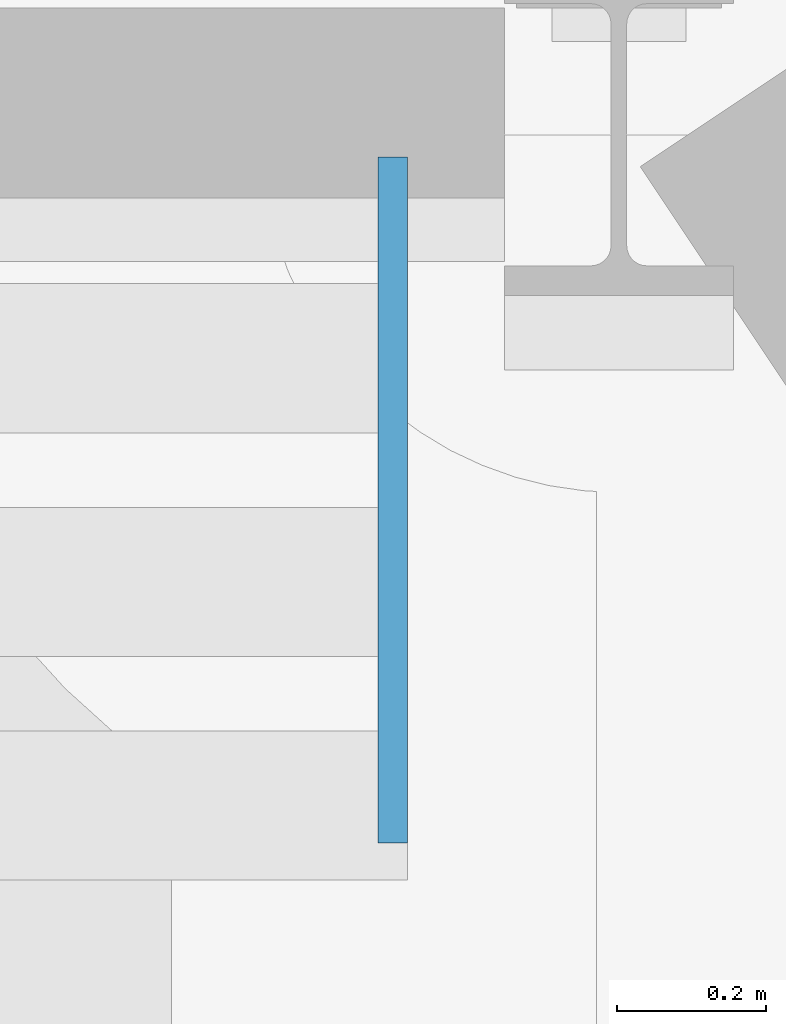
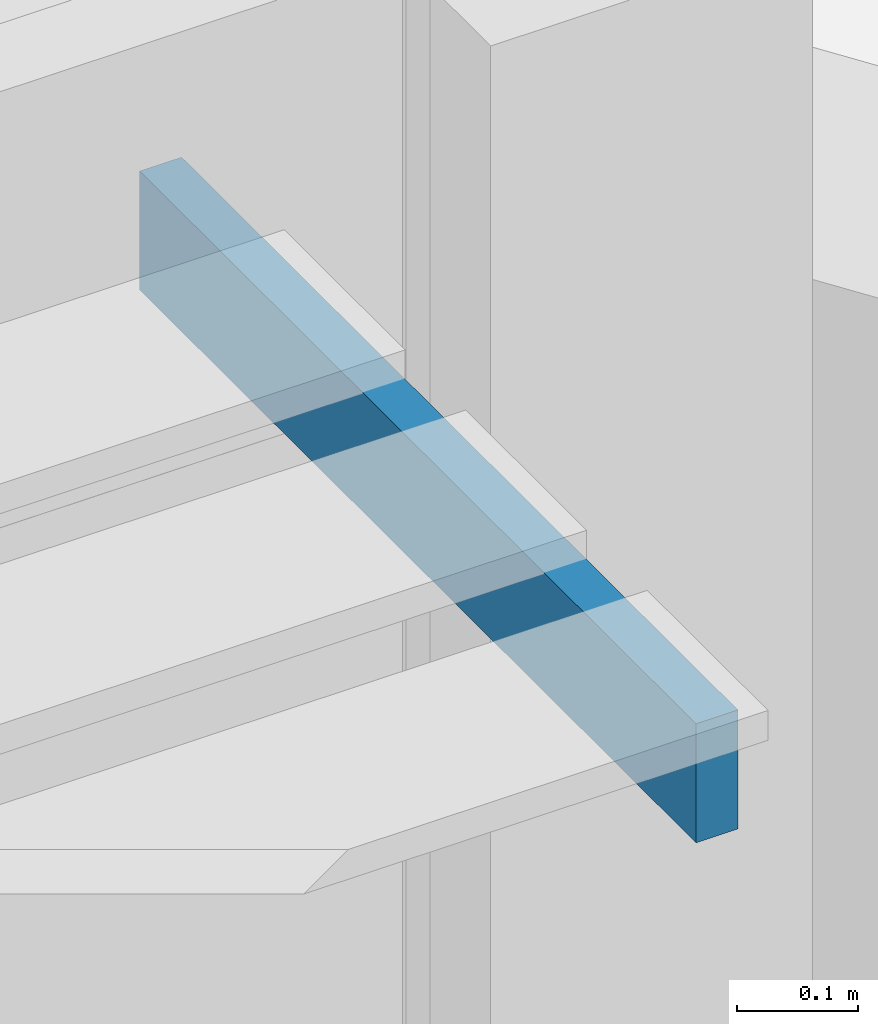
# One storey, part 56 of 110: 1 discrete accessory.
"""IFC4 building model written with IfcOpenShell, lengths in metres."""

from ifc_helpers import new_model, si_unit, direction, frame, origin, origin_2d, place, context, subcontext, project, spatial, rectangle, extrude, material, layer, layer_set, type_object, element, save


model = new_model("IFC4")

# Units and contexts
model_context = context("Model", 3, precision=1e-05, world=origin(), true_north=direction((0.0, 1.0)))
body_context = subcontext(model_context, "Body", "Model", "MODEL_VIEW")
ifc_project = project(units=[si_unit("LENGTHUNIT", "METRE"), si_unit("AREAUNIT", "SQUARE_METRE"), si_unit("VOLUMEUNIT", "CUBIC_METRE"), si_unit("PLANEANGLEUNIT", "RADIAN"), si_unit("MASSUNIT", "GRAM", prefix="KILO")], contexts=[model_context])

# Site, building, storey
site_placement = place(None, origin())
site = spatial("IfcSite", under=ifc_project, at=site_placement, CompositionType="ELEMENT")
building_placement = place(site_placement, origin())
building = spatial("IfcBuilding", under=site, at=building_placement, Name="Kupolbacken Congress Centre", CompositionType="ELEMENT")
storey_placement = place(building_placement, frame((0.0, 0.0, 18.0)))
storey = spatial("IfcBuildingStorey", under=building, at=storey_placement, Name="L05", CompositionType="ELEMENT", Elevation=18.0)

# Discrete accessory
ifc_material = material(Name="Steel S355", Category="steel")
ifc_layer = layer(ifc_material, 0.011962890625)
ifc_layer_set = layer_set([ifc_layer], Name="Steel S355")
discrete_accessory_type = type_object("IfcDiscreteAccessoryType", Name="BK1 bracket 150 x 150 x 12", PredefinedType="BRACKET", material=ifc_layer_set)
discrete_accessory_placement = place(storey_placement, frame((71.696533203125, 121.909912109375, 3.239990234375), z_axis=(0.0, 0.0, 1.0), x_axis=(1.0, 0.0, 0.0)))
element("IfcDiscreteAccessory", 1, at=discrete_accessory_placement, inside=storey, type_object=discrete_accessory_type, Name="Brise-soleil arm", PredefinedType="BRACKET", context=body_context, shape_type="SweptSolid", body=[
    extrude(rectangle(XDim=0.0400390625, YDim=0.919921875, at=origin_2d()), origin(), (0.0, 0.0, 1.0), 0.1201171875),
])

save(model, "model.ifc")
